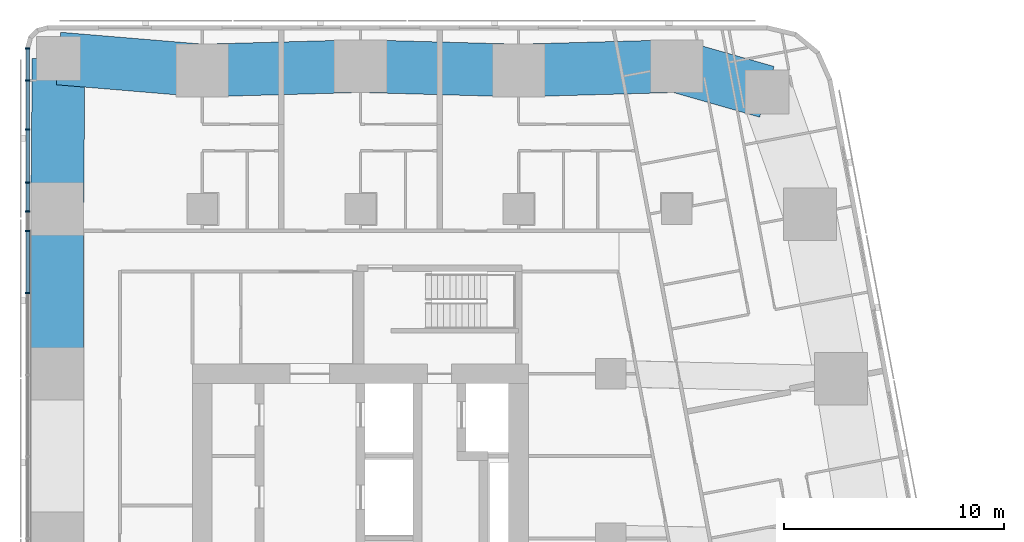
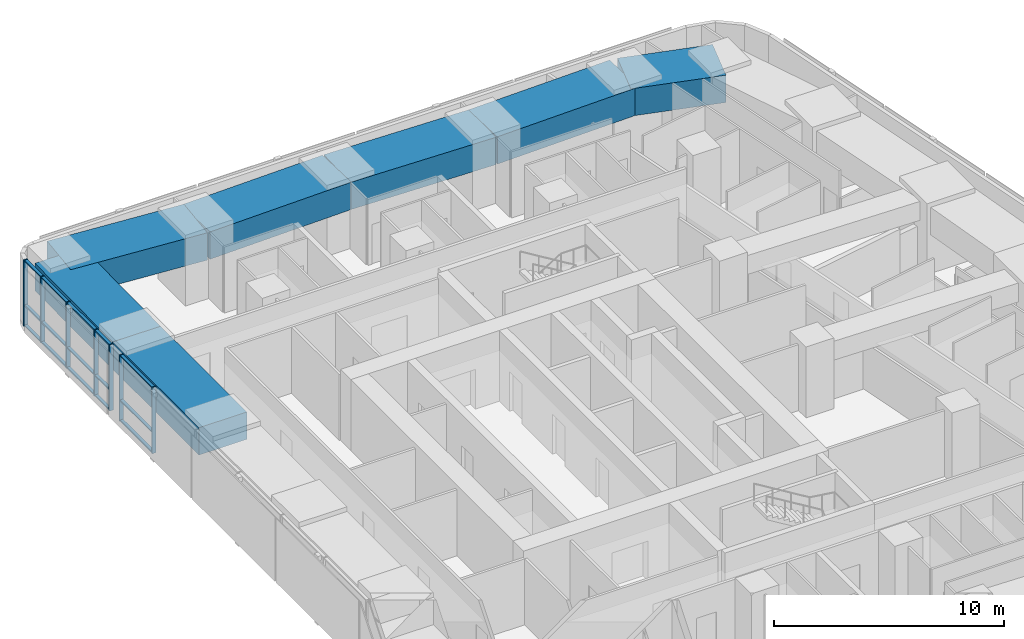
# One storey, part 5 of 17: 22 members, 7 beams, 1 element without a shape of its own.
"""IFC4 building model written with IfcOpenShell, lengths in metres."""

from ifc_helpers import new_model, si_unit, direction, frame, origin, origin_2d, place, context, subcontext, project, spatial, rectangle, extrude, material, material_profile, profile_set, type_object, element, aggregate, save


model = new_model("IFC4")

# Units and contexts
model_context = context("Model", 3, precision=1e-05, world=origin(), true_north=direction((0.0, 1.0)))
body_context = subcontext(model_context, "Body", "Model", "MODEL_VIEW")
ifc_project = project(units=[si_unit("LENGTHUNIT", "METRE"), si_unit("AREAUNIT", "SQUARE_METRE"), si_unit("VOLUMEUNIT", "CUBIC_METRE"), si_unit("PLANEANGLEUNIT", "RADIAN"), si_unit("MASSUNIT", "GRAM", prefix="KILO")], contexts=[model_context])

# Site, building, storey
site_placement = place(None, origin())
site = spatial("IfcSite", under=ifc_project, at=site_placement, CompositionType="ELEMENT")
building_placement = place(site_placement, origin())
building = spatial("IfcBuilding", under=site, at=building_placement, Name="Sheger Commons Tower", CompositionType="ELEMENT")
storey_placement = place(building_placement, frame((0.0, 0.0, 204.949951171875)))
storey = spatial("IfcBuildingStorey", under=building, at=storey_placement, Name="L52", CompositionType="ELEMENT", Elevation=204.949951171875)

# Curtain wall, members
ifc_material_1 = material(Name="Black aluminium curtain wall, dark tinted glazing", Category="aluminium")
curtain_wall_type = type_object("IfcCurtainWallType", Name="CURTAIN WALL CW4 GALLERY", PredefinedType="USERDEFINED", material=ifc_material_1)
curtain_wall_placement = place(storey_placement, origin())
curtain_wall = element("IfcCurtainWall", 1, at=curtain_wall_placement, inside=storey, type_object=curtain_wall_type, Name="Curtain Wall Cw4 Gallery W1 L52", ObjectType="UNITISED CURTAIN WALL", PredefinedType="USERDEFINED")
ifc_material_2 = material(Name="Black anodised aluminium", Category="aluminium")
ifc_material_profile_1 = material_profile(ifc_material_2, rectangle(XDim=0.199951171875, YDim=0.06494140625, at=origin_2d()), Name="AL 65x200")
ifc_profile_set_1 = profile_set([ifc_material_profile_1], Name="Black anodised aluminium")
member_type_1 = type_object("IfcMemberType", Name="MULLION AL 65x200", PredefinedType="MULLION", material=ifc_profile_set_1)
member_1_placement = place(storey_placement, frame((6.449951171875, 44.804443359375, 0.0), z_axis=(0.0, 0.0, 1.0), x_axis=(1.0, 0.0, 0.0)))
member_1 = element("IfcMember", 2, at=member_1_placement, type_object=member_type_1, Name="CW4 mullion 1", PredefinedType="MULLION", context=body_context, shape_type="SweptSolid", body=[
    extrude(rectangle(XDim=0.199951171875, YDim=0.06494140625, at=origin_2d()), origin(), (0.0, 0.0, 1.0), 3.5),
])
member_2_placement = place(storey_placement, frame((6.449951171875, 43.345947265625, 0.0), z_axis=(0.0, 0.0, 1.0), x_axis=(1.0, 0.0, 0.0)))
member_2 = element("IfcMember", 3, at=member_2_placement, type_object=member_type_1, Name="CW4 mullion 2", PredefinedType="MULLION", context=body_context, shape_type="SweptSolid", body=[
    extrude(rectangle(XDim=0.199951171875, YDim=0.06494140625, at=origin_2d()), origin(), (0.0, 0.0, 1.0), 3.5),
])
member_3_placement = place(storey_placement, frame((6.449951171875, 41.114013671875, 0.0), z_axis=(0.0, 0.0, 1.0), x_axis=(1.0, 0.0, 0.0)))
member_3 = element("IfcMember", 4, at=member_3_placement, type_object=member_type_1, Name="CW4 mullion 3", PredefinedType="MULLION", context=body_context, shape_type="SweptSolid", body=[
    extrude(rectangle(XDim=0.199951171875, YDim=0.06494140625, at=origin_2d()), origin(), (0.0, 0.0, 1.0), 3.5),
])
member_4_placement = place(storey_placement, frame((6.449951171875, 38.699951171875, 0.0), z_axis=(0.0, 0.0, 1.0), x_axis=(1.0, 0.0, 0.0)))
member_4 = element("IfcMember", 5, at=member_4_placement, type_object=member_type_1, Name="CW4 mullion 4", PredefinedType="MULLION", context=body_context, shape_type="SweptSolid", body=[
    extrude(rectangle(XDim=0.199951171875, YDim=0.06494140625, at=origin_2d()), origin(), (0.0, 0.0, 1.0), 3.5),
])
member_5_placement = place(storey_placement, frame((6.449951171875, 37.39111328125, 0.0), z_axis=(0.0, 0.0, 1.0), x_axis=(1.0, 0.0, 0.0)))
member_5 = element("IfcMember", 6, at=member_5_placement, type_object=member_type_1, Name="CW4 mullion 5", PredefinedType="MULLION", context=body_context, shape_type="SweptSolid", body=[
    extrude(rectangle(XDim=0.199951171875, YDim=0.06494140625, at=origin_2d()), origin(), (0.0, 0.0, 1.0), 3.5),
])
member_6_placement = place(storey_placement, frame((6.449951171875, 36.5, 0.0), z_axis=(0.0, 0.0, 1.0), x_axis=(1.0, 0.0, 0.0)))
member_6 = element("IfcMember", 7, at=member_6_placement, type_object=member_type_1, Name="CW4 mullion 6", PredefinedType="MULLION", context=body_context, shape_type="SweptSolid", body=[
    extrude(rectangle(XDim=0.199951171875, YDim=0.06494140625, at=origin_2d()), origin(), (0.0, 0.0, 1.0), 3.5),
])
member_7_placement = place(storey_placement, frame((6.449951171875, 33.66796875, 0.0), z_axis=(0.0, 0.0, 1.0), x_axis=(1.0, 0.0, 0.0)))
member_7 = element("IfcMember", 8, at=member_7_placement, type_object=member_type_1, Name="CW4 mullion 7", PredefinedType="MULLION", context=body_context, shape_type="SweptSolid", body=[
    extrude(rectangle(XDim=0.199951171875, YDim=0.06494140625, at=origin_2d()), origin(), (0.0, 0.0, 1.0), 3.5),
])

# Beams
ifc_material_3 = material(Name="Concrete C50/60", Category="concrete")
ifc_material_profile_2 = material_profile(ifc_material_3, rectangle(XDim=2.39990234375, YDim=1.449951171875, at=origin_2d()), Name="RC 2400x1450")
ifc_profile_set_2 = profile_set([ifc_material_profile_2], Name="Concrete C50/60")
beam_type = type_object("IfcBeamType", Name="SPANDREL RC 2400x1450", PredefinedType="SPANDREL", material=ifc_profile_set_2)
beam_1_placement = place(storey_placement, frame((40.10205078125, 42.830078125, 2.775146484375), z_axis=(-0.961653428129, 0.274267541221, 0.0), x_axis=(-0.274267541221, -0.961653428129, 0.0)))
element("IfcBeam", 9, at=beam_1_placement, inside=storey, type_object=beam_type, Name="Beam 41.490,44.505-6/G under L53", PredefinedType="SPANDREL", context=body_context, shape_type="SweptSolid", body=[
    extrude(rectangle(XDim=2.39990234375, YDim=1.449951171875, at=origin_2d()), origin(), (0.0, 0.0, 1.0), 4.265625),
])
for number, where, z_axis, x_axis, name in (
    (10, (36.0, 44.0, 2.775146484375), (-0.999614603568, -0.027760481514, 0.0), (0.027760481514, -0.999614603568, 0.0), "Beam 6/G-5/G under L53"),
    (11, (28.800048828125, 43.800048828125, 2.775146484375), (-0.999614603568, 0.027760481514, 0.0), (-0.027760481514, -0.999614603568, 0.0), "Beam 5/G-4/G under L53"),
):
    element("IfcBeam", number, at=place(storey_placement, frame(where, z_axis=z_axis, x_axis=x_axis)), inside=storey, type_object=beam_type, Name=name, PredefinedType="SPANDREL", context=body_context, shape_type="SweptSolid", body=[
        extrude(rectangle(XDim=2.39990234375, YDim=1.449951171875, at=origin_2d()), origin(), (0.0, 0.0, 1.0), 7.20263671875),
    ])
beam_2_placement = place(storey_placement, frame((21.60009765625, 44.0, 2.775146484375), z_axis=(-0.999614629688, -0.027759540951, 0.0), x_axis=(0.027759540951, -0.999614629688, 0.0)))
element("IfcBeam", 12, at=beam_2_placement, inside=storey, type_object=beam_type, Name="Beam 4/G-3/G under L53", PredefinedType="SPANDREL", context=body_context, shape_type="SweptSolid", body=[
    extrude(rectangle(XDim=2.39990234375, YDim=1.449951171875, at=origin_2d()), origin(), (0.0, 0.0, 1.0), 7.202880859375),
])
beam_3_placement = place(storey_placement, frame((14.39990234375, 43.800048828125, 2.775146484375), z_axis=(-0.996540629765, 0.083106998663, 0.0), x_axis=(-0.083106998663, -0.996540629765, 0.0)))
element("IfcBeam", 13, at=beam_3_placement, inside=storey, type_object=beam_type, Name="Beam 3/G-2/G under L53", PredefinedType="SPANDREL", context=body_context, shape_type="SweptSolid", body=[
    extrude(rectangle(XDim=2.39990234375, YDim=1.449951171875, at=origin_2d()), origin(), (0.0, 0.0, 1.0), 6.568603515625),
])
beam_4_placement = place(storey_placement, frame((7.85400390625, 44.345947265625, 2.775146484375), z_axis=(-0.00788107188, -0.999968943871, 0.0), x_axis=(0.999968943871, -0.00788107188, 0.0)))
element("IfcBeam", 14, at=beam_4_placement, inside=storey, type_object=beam_type, Name="Beam 2/G-2/F under L53", PredefinedType="SPANDREL", context=body_context, shape_type="SweptSolid", body=[
    extrude(rectangle(XDim=2.39990234375, YDim=1.449951171875, at=origin_2d()), origin(), (0.0, 0.0, 1.0), 6.84619140625),
])
beam_5_placement = place(storey_placement, frame((7.800048828125, 37.5, 2.775146484375), z_axis=(0.0, -1.0, 0.0), x_axis=(1.0, 0.0, 0.0)))
element("IfcBeam", 15, at=beam_5_placement, inside=storey, type_object=beam_type, Name="Beam 2/F-2/E under L53", PredefinedType="SPANDREL", context=body_context, shape_type="SweptSolid", body=[
    extrude(rectangle(XDim=2.39990234375, YDim=1.449951171875, at=origin_2d()), origin(), (0.0, 0.0, 1.0), 7.5),
])

# Member
ifc_material_4 = material(Name="Black anodised aluminium", Category="aluminium")
ifc_material_profile_3 = material_profile(ifc_material_4, rectangle(XDim=0.14990234375, YDim=0.06494140625, at=origin_2d()), Name="AL 65x150")
ifc_profile_set_3 = profile_set([ifc_material_profile_3], Name="Black anodised aluminium")
member_type_2 = type_object("IfcMemberType", Name="TRANSOM AL 65x150", PredefinedType="USERDEFINED", material=ifc_profile_set_3)
member_8_placement = place(storey_placement, frame((6.449951171875, 44.77197265625, 0.032470703125), z_axis=(0.0, -1.0, 0.0), x_axis=(1.0, 0.0, 0.0)))
member_8 = element("IfcMember", 16, at=member_8_placement, type_object=member_type_2, Name="CW4 transom 1.1", ObjectType="TRANSOM", PredefinedType="USERDEFINED", context=body_context, shape_type="SweptSolid", body=[
    extrude(rectangle(XDim=0.14990234375, YDim=0.06494140625, at=origin_2d()), origin(), (0.0, 0.0, 1.0), 1.3935546875),
])

member_9_placement = place(storey_placement, frame((6.449951171875, 44.77197265625, 1.10009765625), z_axis=(0.0, -1.0, 0.0), x_axis=(1.0, 0.0, 0.0)))
member_9 = element("IfcMember", 17, at=member_9_placement, type_object=member_type_2, Name="CW4 transom 1.2", ObjectType="TRANSOM", PredefinedType="USERDEFINED", context=body_context, shape_type="SweptSolid", body=[
    extrude(rectangle(XDim=0.14990234375, YDim=0.06494140625, at=origin_2d()), origin(), (0.0, 0.0, 1.0), 1.3935546875),
])

member_10_placement = place(storey_placement, frame((6.449951171875, 44.77197265625, 3.467529296875), z_axis=(0.0, -1.0, 0.0), x_axis=(1.0, 0.0, 0.0)))
member_10 = element("IfcMember", 18, at=member_10_placement, type_object=member_type_2, Name="CW4 transom 1.3", ObjectType="TRANSOM", PredefinedType="USERDEFINED", context=body_context, shape_type="SweptSolid", body=[
    extrude(rectangle(XDim=0.14990234375, YDim=0.06494140625, at=origin_2d()), origin(), (0.0, 0.0, 1.0), 1.3935546875),
])

member_11_placement = place(storey_placement, frame((6.449951171875, 43.3134765625, 0.032470703125), z_axis=(0.0, -1.0, 0.0), x_axis=(1.0, 0.0, 0.0)))
member_11 = element("IfcMember", 19, at=member_11_placement, type_object=member_type_2, Name="CW4 transom 2.1", ObjectType="TRANSOM", PredefinedType="USERDEFINED", context=body_context, shape_type="SweptSolid", body=[
    extrude(rectangle(XDim=0.14990234375, YDim=0.06494140625, at=origin_2d()), origin(), (0.0, 0.0, 1.0), 2.1669921875),
])

member_12_placement = place(storey_placement, frame((6.449951171875, 43.3134765625, 1.10009765625), z_axis=(0.0, -1.0, 0.0), x_axis=(1.0, 0.0, 0.0)))
member_12 = element("IfcMember", 20, at=member_12_placement, type_object=member_type_2, Name="CW4 transom 2.2", ObjectType="TRANSOM", PredefinedType="USERDEFINED", context=body_context, shape_type="SweptSolid", body=[
    extrude(rectangle(XDim=0.14990234375, YDim=0.06494140625, at=origin_2d()), origin(), (0.0, 0.0, 1.0), 2.1669921875),
])

member_13_placement = place(storey_placement, frame((6.449951171875, 43.3134765625, 3.467529296875), z_axis=(0.0, -1.0, 0.0), x_axis=(1.0, 0.0, 0.0)))
member_13 = element("IfcMember", 21, at=member_13_placement, type_object=member_type_2, Name="CW4 transom 2.3", ObjectType="TRANSOM", PredefinedType="USERDEFINED", context=body_context, shape_type="SweptSolid", body=[
    extrude(rectangle(XDim=0.14990234375, YDim=0.06494140625, at=origin_2d()), origin(), (0.0, 0.0, 1.0), 2.1669921875),
])

member_14_placement = place(storey_placement, frame((6.449951171875, 41.08154296875, 0.032470703125), z_axis=(0.0, -1.0, 0.0), x_axis=(1.0, 0.0, 0.0)))
member_14 = element("IfcMember", 22, at=member_14_placement, type_object=member_type_2, Name="CW4 transom 3.1", ObjectType="TRANSOM", PredefinedType="USERDEFINED", context=body_context, shape_type="SweptSolid", body=[
    extrude(rectangle(XDim=0.14990234375, YDim=0.06494140625, at=origin_2d()), origin(), (0.0, 0.0, 1.0), 2.34912109375),
])

member_15_placement = place(storey_placement, frame((6.449951171875, 41.08154296875, 1.10009765625), z_axis=(0.0, -1.0, 0.0), x_axis=(1.0, 0.0, 0.0)))
member_15 = element("IfcMember", 23, at=member_15_placement, type_object=member_type_2, Name="CW4 transom 3.2", ObjectType="TRANSOM", PredefinedType="USERDEFINED", context=body_context, shape_type="SweptSolid", body=[
    extrude(rectangle(XDim=0.14990234375, YDim=0.06494140625, at=origin_2d()), origin(), (0.0, 0.0, 1.0), 2.34912109375),
])

member_16_placement = place(storey_placement, frame((6.449951171875, 41.08154296875, 3.467529296875), z_axis=(0.0, -1.0, 0.0), x_axis=(1.0, 0.0, 0.0)))
member_16 = element("IfcMember", 24, at=member_16_placement, type_object=member_type_2, Name="CW4 transom 3.3", ObjectType="TRANSOM", PredefinedType="USERDEFINED", context=body_context, shape_type="SweptSolid", body=[
    extrude(rectangle(XDim=0.14990234375, YDim=0.06494140625, at=origin_2d()), origin(), (0.0, 0.0, 1.0), 2.34912109375),
])

member_17_placement = place(storey_placement, frame((6.449951171875, 38.66748046875, 0.032470703125), z_axis=(0.0, -1.0, 0.0), x_axis=(1.0, 0.0, 0.0)))
member_17 = element("IfcMember", 25, at=member_17_placement, type_object=member_type_2, Name="CW4 transom 4.1", ObjectType="TRANSOM", PredefinedType="USERDEFINED", context=body_context, shape_type="SweptSolid", body=[
    extrude(rectangle(XDim=0.14990234375, YDim=0.06494140625, at=origin_2d()), origin(), (0.0, 0.0, 1.0), 1.243896484375),
])

member_18_placement = place(storey_placement, frame((6.449951171875, 38.66748046875, 1.10009765625), z_axis=(0.0, -1.0, 0.0), x_axis=(1.0, 0.0, 0.0)))
member_18 = element("IfcMember", 26, at=member_18_placement, type_object=member_type_2, Name="CW4 transom 4.2", ObjectType="TRANSOM", PredefinedType="USERDEFINED", context=body_context, shape_type="SweptSolid", body=[
    extrude(rectangle(XDim=0.14990234375, YDim=0.06494140625, at=origin_2d()), origin(), (0.0, 0.0, 1.0), 1.243896484375),
])

member_19_placement = place(storey_placement, frame((6.449951171875, 38.66748046875, 3.467529296875), z_axis=(0.0, -1.0, 0.0), x_axis=(1.0, 0.0, 0.0)))
member_19 = element("IfcMember", 27, at=member_19_placement, type_object=member_type_2, Name="CW4 transom 4.3", ObjectType="TRANSOM", PredefinedType="USERDEFINED", context=body_context, shape_type="SweptSolid", body=[
    extrude(rectangle(XDim=0.14990234375, YDim=0.06494140625, at=origin_2d()), origin(), (0.0, 0.0, 1.0), 1.243896484375),
])

member_20_placement = place(storey_placement, frame((6.449951171875, 36.467529296875, 0.032470703125), z_axis=(0.0, -1.0, 0.0), x_axis=(1.0, 0.0, 0.0)))
member_20 = element("IfcMember", 28, at=member_20_placement, type_object=member_type_2, Name="CW4 transom 6.1", ObjectType="TRANSOM", PredefinedType="USERDEFINED", context=body_context, shape_type="SweptSolid", body=[
    extrude(rectangle(XDim=0.14990234375, YDim=0.06494140625, at=origin_2d()), origin(), (0.0, 0.0, 1.0), 2.76708984375),
])

member_21_placement = place(storey_placement, frame((6.449951171875, 36.467529296875, 1.10009765625), z_axis=(0.0, -1.0, 0.0), x_axis=(1.0, 0.0, 0.0)))
member_21 = element("IfcMember", 29, at=member_21_placement, type_object=member_type_2, Name="CW4 transom 6.2", ObjectType="TRANSOM", PredefinedType="USERDEFINED", context=body_context, shape_type="SweptSolid", body=[
    extrude(rectangle(XDim=0.14990234375, YDim=0.06494140625, at=origin_2d()), origin(), (0.0, 0.0, 1.0), 2.76708984375),
])

member_22_placement = place(storey_placement, frame((6.449951171875, 36.467529296875, 3.467529296875), z_axis=(0.0, -1.0, 0.0), x_axis=(1.0, 0.0, 0.0)))
member_22 = element("IfcMember", 30, at=member_22_placement, type_object=member_type_2, Name="CW4 transom 6.3", ObjectType="TRANSOM", PredefinedType="USERDEFINED", context=body_context, shape_type="SweptSolid", body=[
    extrude(rectangle(XDim=0.14990234375, YDim=0.06494140625, at=origin_2d()), origin(), (0.0, 0.0, 1.0), 2.76708984375),
])

aggregate(curtain_wall, [member_1, member_2, member_3, member_4, member_5, member_6, member_7, member_8, member_9, member_10, member_11, member_12, member_13, member_14, member_15, member_16, member_17, member_18, member_19, member_20, member_21, member_22])

save(model, "model.ifc")
